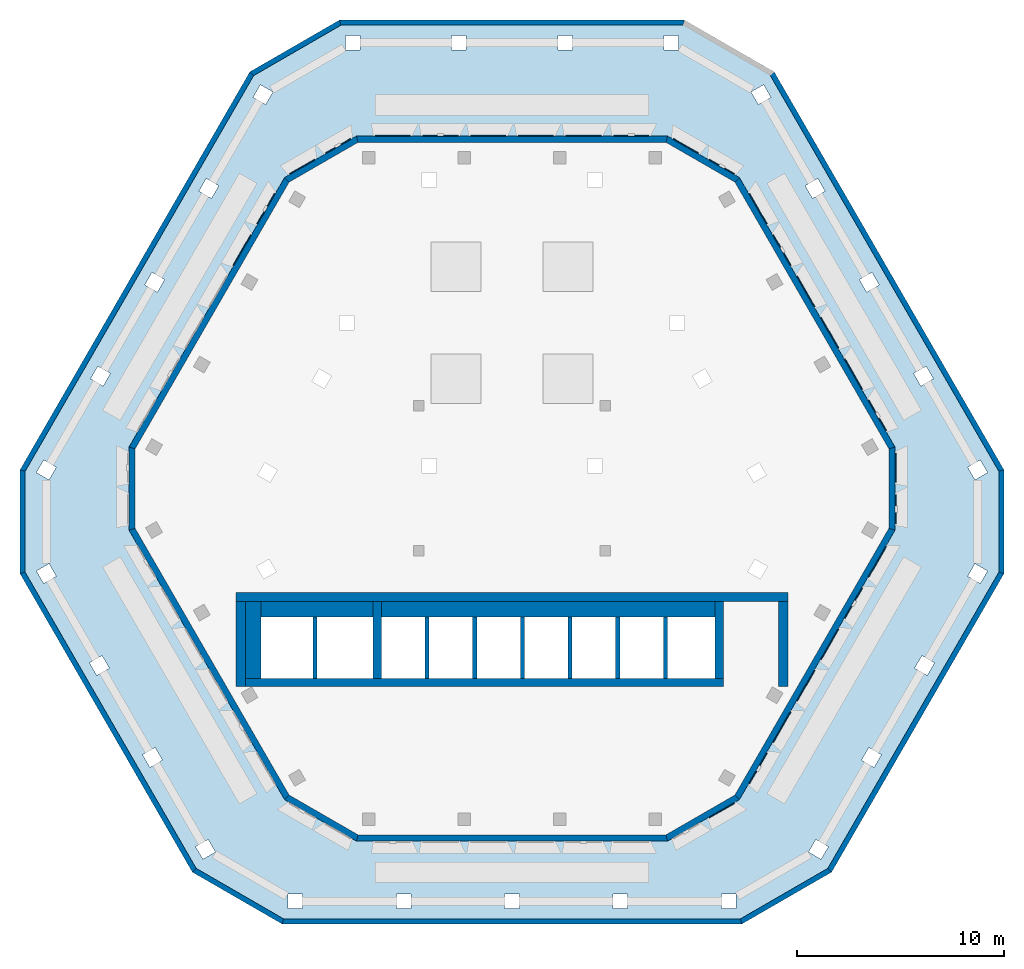
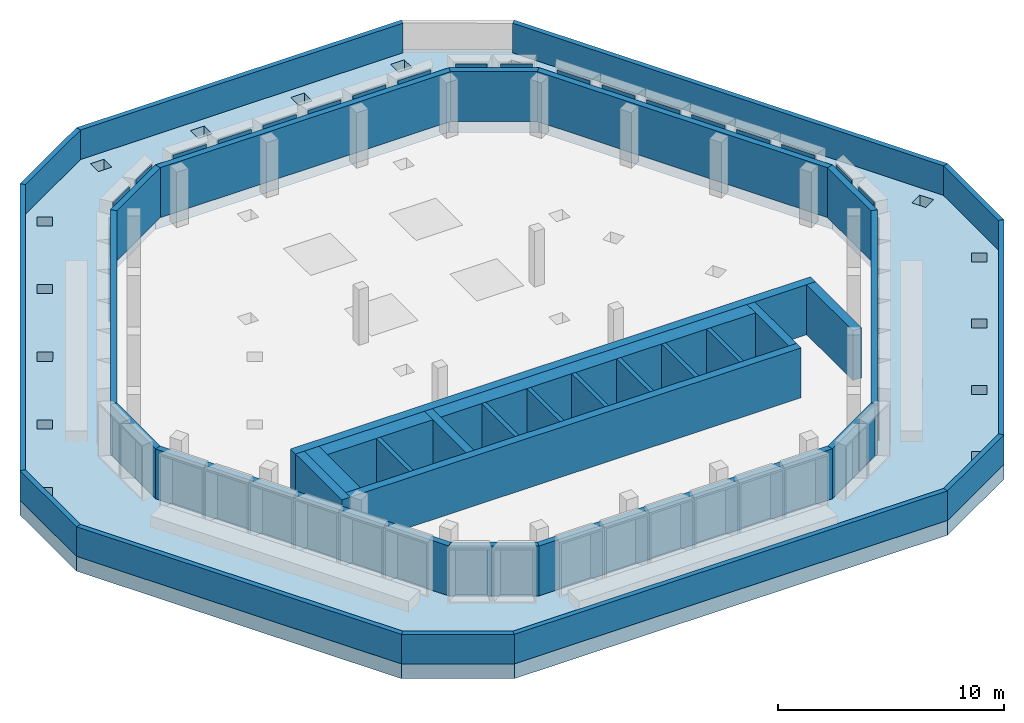
# One storey, part 2 of 5: 39 walls, 27 plates, 1 slab.
"""IFC4 building model written with IfcOpenShell, lengths in metres."""

from ifc_helpers import new_model, si_unit, direction, frame, frame_2d, origin, place, context, subcontext, project, spatial, polyline, rectangle, outline, extrude, source, transform, mapped, material, layer, layer_set, type_object, type_shapes, element, save


model = new_model("IFC4")

# Units and contexts
model_context = context("Model", 3, precision=1e-05, world=origin(), true_north=direction((0.0, 1.0)))
body_context = subcontext(model_context, "Body", "Model", "MODEL_VIEW")
ifc_project = project(units=[si_unit("LENGTHUNIT", "METRE"), si_unit("AREAUNIT", "SQUARE_METRE"), si_unit("VOLUMEUNIT", "CUBIC_METRE"), si_unit("PLANEANGLEUNIT", "RADIAN"), si_unit("MASSUNIT", "GRAM", prefix="KILO")], contexts=[model_context])

# Site, building, storey
site_placement = place(None, origin())
site = spatial("IfcSite", under=ifc_project, at=site_placement, CompositionType="ELEMENT")
building_placement = place(site_placement, origin())
building = spatial("IfcBuilding", under=site, at=building_placement, Name="Beryl Residences", CompositionType="ELEMENT")
storey_placement = place(building_placement, frame((0.0, 0.0, 244.800048828125)))
storey = spatial("IfcBuildingStorey", under=building, at=storey_placement, Name="L76", CompositionType="ELEMENT", Elevation=244.800048828125)

# Plates
ifc_material_1 = material(Name="Aluminium louvres", Category="aluminium")
ifc_layer_1 = layer(ifc_material_1, 0.050048828125)
ifc_layer_set_1 = layer_set([ifc_layer_1], Name="LV140 louvre panel 1400 x 2800 mm")
plate_type_1 = type_object("IfcPlateType", Name="LV140 louvre panel 1400 x 2800 mm", PredefinedType="SHEET", material=ifc_layer_set_1)
shared_shape_1 = source(origin(), body_context, "Body", "SweptSolid", [
    extrude(outline(polyline([(-0.699951171875, 0.0), (0.699951171875, 0.0), (0.699951171875, 0.050048828125), (-0.699951171875, 0.050048828125), (-0.699951171875, 0.0)])), origin(), (0.0, 0.0, 1.0), 2.800048828125),
])
type_shapes(plate_type_1, [shared_shape_1])
for number, where, z_axis, x_axis, name in (
    (1, (-8.3720703125, 16.5, 0.099853515625), (0.0, 0.0, 1.0), (0.866025403784, 0.5, 0.0), "LV140 louvre cell L76 N-NW 1"),
    (2, (-10.10400390625, 15.5, 0.099853515625), (0.0, 0.0, 1.0), (0.866025403784, 0.5, 0.0), "LV140 louvre cell L76 N-NW 2"),
    (3, (10.10400390625, -15.5, 0.099853515625), (0.0, 0.0, 1.0), (-0.866025403784, -0.5, 0.0), "LV140 louvre cell L76 S-SE 2"),
    (4, (18.47509765625, -1.0, 0.099853515625), (0.0, 0.0, 1.0), (0.0, -1.0, 0.0), "LV140 louvre cell L76 SE-NE 1"),
    (5, (18.47509765625, 1.0, 0.099853515625), (0.0, 0.0, 1.0), (0.0, -1.0, 0.0), "LV140 louvre cell L76 SE-NE 2"),
    (6, (10.10400390625, 15.5, 0.099853515625), (0.0, 0.0, 1.0), (0.866025403784, -0.5, 0.0), "LV140 louvre cell L76 NE-N 1"),
    (7, (8.3720703125, 16.5, 0.099853515625), (0.0, 0.0, 1.0), (0.866025403784, -0.5, 0.0), "LV140 louvre cell L76 NE-N 2"),
):
    element("IfcPlate", number, at=place(storey_placement, frame(where, z_axis=z_axis, x_axis=x_axis)), inside=storey, type_object=plate_type_1, Name=name, PredefinedType="SHEET", context=body_context, shape_type="MappedRepresentation", body=[
        mapped(shared_shape_1, transform((0.0, 0.0, 0.0))),
    ])
ifc_material_2 = material(Name="Aluminium louvres", Category="aluminium")
ifc_layer_2 = layer(ifc_material_2, 0.050048828125)
ifc_layer_set_2 = layer_set([ifc_layer_2], Name="LV170 louvre panel 1700 x 2800 mm")
plate_type_2 = type_object("IfcPlateType", Name="LV170 louvre panel 1700 x 2800 mm", PredefinedType="SHEET", material=ifc_layer_set_2)
shared_shape_2 = source(origin(), body_context, "Body", "SweptSolid", [
    extrude(outline(polyline([(-0.85009765625, 0.0), (0.85009765625, 0.0), (0.85009765625, 0.050048828125), (-0.85009765625, 0.050048828125), (-0.85009765625, 0.0)])), origin(), (0.0, 0.0, 1.0), 2.800048828125),
])
type_shapes(plate_type_2, [shared_shape_2])
for number, where, z_axis, x_axis, name in (
    (8, (5.75, 17.0, 0.099853515625), (0.0, 0.0, 1.0), (1.0, 0.0, 0.0), "LV170 louvre cell L76 N 1"),
    (9, (3.449951171875, 17.0, 0.099853515625), (0.0, 0.0, 1.0), (1.0, 0.0, 0.0), "LV170 louvre cell L76 N 2"),
    (10, (1.14990234375, 17.0, 0.099853515625), (0.0, 0.0, 1.0), (1.0, 0.0, 0.0), "LV170 louvre cell L76 N 3"),
    (11, (-1.14990234375, 17.0, 0.099853515625), (0.0, 0.0, 1.0), (1.0, 0.0, 0.0), "LV170 louvre cell L76 N 4"),
    (12, (-3.449951171875, 17.0, 0.099853515625), (0.0, 0.0, 1.0), (1.0, 0.0, 0.0), "LV170 louvre cell L76 N 5"),
    (13, (-5.75, 17.0, 0.099853515625), (0.0, 0.0, 1.0), (1.0, 0.0, 0.0), "LV170 louvre cell L76 N 6"),
    (14, (-11.847900390625, 13.47900390625, 0.099853515625), (0.0, 0.0, 1.0), (0.5, 0.866025403784, 0.0), "LV170 louvre cell L76 NW 1"),
    (15, (-12.998046875, 11.488037109375, 0.099853515625), (0.0, 0.0, 1.0), (0.5, 0.866025403784, 0.0), "LV170 louvre cell L76 NW 2"),
    (16, (11.847900390625, -13.47900390625, 0.099853515625), (0.0, 0.0, 1.0), (-0.5, -0.866025403784, 0.0), "LV170 louvre cell L76 SE 1"),
    (17, (12.998046875, -11.488037109375, 0.099853515625), (0.0, 0.0, 1.0), (-0.5, -0.866025403784, 0.0), "LV170 louvre cell L76 SE 2"),
    (18, (14.14794921875, -9.49609375, 0.099853515625), (0.0, 0.0, 1.0), (-0.5, -0.866025403784, 0.0), "LV170 louvre cell L76 SE 3"),
    (19, (15.298095703125, -7.5048828125, 0.099853515625), (0.0, 0.0, 1.0), (-0.5, -0.866025403784, 0.0), "LV170 louvre cell L76 SE 4"),
    (20, (16.447021484375, -5.512939453125, 0.099853515625), (0.0, 0.0, 1.0), (-0.5, -0.866025403784, 0.0), "LV170 louvre cell L76 SE 5"),
    (21, (17.596923828125, -3.52197265625, 0.099853515625), (0.0, 0.0, 1.0), (-0.5, -0.866025403784, 0.0), "LV170 louvre cell L76 SE 6"),
    (22, (17.597900390625, 3.52099609375, 0.099853515625), (0.0, 0.0, 1.0), (0.5, -0.866025403784, 0.0), "LV170 louvre cell L76 NE 1"),
    (23, (16.447998046875, 5.511962890625, 0.099853515625), (0.0, 0.0, 1.0), (0.5, -0.866025403784, 0.0), "LV170 louvre cell L76 NE 2"),
    (24, (15.298095703125, 7.50390625, 0.099853515625), (0.0, 0.0, 1.0), (0.5, -0.866025403784, 0.0), "LV170 louvre cell L76 NE 3"),
    (25, (14.14794921875, 9.4951171875, 0.099853515625), (0.0, 0.0, 1.0), (0.5, -0.866025403784, 0.0), "LV170 louvre cell L76 NE 4"),
    (26, (12.9990234375, 11.487060546875, 0.099853515625), (0.0, 0.0, 1.0), (0.5, -0.866025403784, 0.0), "LV170 louvre cell L76 NE 5"),
    (27, (11.84912109375, 13.47802734375, 0.099853515625), (0.0, 0.0, 1.0), (0.5, -0.866025403784, 0.0), "LV170 louvre cell L76 NE 6"),
):
    element("IfcPlate", number, at=place(storey_placement, frame(where, z_axis=z_axis, x_axis=x_axis)), inside=storey, type_object=plate_type_2, Name=name, PredefinedType="SHEET", context=body_context, shape_type="MappedRepresentation", body=[
        mapped(shared_shape_2, transform((0.0, 0.0, 0.0))),
    ])

# Slab
ifc_material_3 = material(Name="Concrete C60/75", Category="concrete")
ifc_layer_3 = layer(ifc_material_3, 0.800048828125)
ifc_layer_set_3 = layer_set([ifc_layer_3], Name="SL13 roof strip slab 800 mm C60/75")
slab_type = type_object("IfcSlabType", Name="SL13 roof strip slab 800 mm C60/75", PredefinedType="ROOF", material=ifc_layer_set_3)
slab_placement = place(storey_placement, frame((0.0, 0.0, -0.800048828125)))
element("IfcSlab", 28, at=slab_placement, inside=storey, type_object=slab_type, Name="roof L76 1 1", PredefinedType="ROOF", context=body_context, shape_type="SweptSolid", body=[
    extrude(outline(polyline([(23.72900390625, -4.10009765625), (15.4150390625, -18.5), (11.0849609375, -21.0), (-11.0849609375, -21.0), (-15.4150390625, -18.5), (-23.72900390625, -4.10009765625), (-23.72900390625, 0.89990234375), (-12.64404296875, 20.10009765625), (-8.31396484375, 22.60009765625), (8.31396484375, 22.60009765625), (12.64404296875, 20.10009765625), (23.72900390625, 0.89990234375), (23.72900390625, -4.10009765625)]), holes=[polyline([(22.93603515625, 0.77197265625), (22.5859375, 1.3779296875), (21.97998046875, 1.028076171875), (22.330078125, 0.422119140625), (22.93603515625, 0.77197265625)]), polyline([(22.93603515625, -3.972900390625), (22.330078125, -3.623046875), (21.97998046875, -4.22900390625), (22.5859375, -4.5791015625), (22.93603515625, -3.972900390625)]), polyline([(20.376953125, -8.406005859375), (19.77099609375, -8.055908203125), (19.4208984375, -8.662109375), (20.027099609375, -9.011962890625), (20.376953125, -8.406005859375)]), polyline([(19.367919921875, 5.552978515625), (19.718017578125, 4.947021484375), (20.323974609375, 5.297119140625), (19.97412109375, 5.903076171875), (19.367919921875, 5.552978515625)]), polyline([(7.506103515625, 17.0009765625), (-7.506103515625, 17.0009765625), (-10.970458984375, 15.0009765625), (-18.475830078125, 2.00048828125), (-18.47607421875, -2.0), (-10.970947265625, -15.00048828125), (-7.506591796875, -17.0009765625), (7.506103515625, -17.0009765625), (10.970458984375, -15.0009765625), (18.475830078125, -2.00048828125), (18.47607421875, 2.0), (10.970947265625, 15.00048828125), (7.506103515625, 17.0009765625)]), polyline([(17.467041015625, -13.445068359375), (17.81689453125, -12.839111328125), (17.2109375, -12.489013671875), (16.861083984375, -13.094970703125), (17.467041015625, -13.445068359375)]), polyline([(17.7109375, 9.822021484375), (17.361083984375, 10.427978515625), (16.7548828125, 10.077880859375), (17.10498046875, 9.471923828125), (17.7109375, 9.822021484375)]), polyline([(15.258056640625, -17.27197265625), (14.652099609375, -16.922119140625), (14.302001953125, -17.528076171875), (14.907958984375, -17.8779296875), (15.258056640625, -17.27197265625)]), polyline([(14.14306640625, 14.60302734375), (14.492919921875, 13.9970703125), (15.09912109375, 14.346923828125), (14.7490234375, 14.952880859375), (14.14306640625, 14.60302734375)]), polyline([(12.136962890625, 19.47802734375), (11.531005859375, 19.1279296875), (11.881103515625, 18.52197265625), (12.487060546875, 18.8720703125), (12.136962890625, 19.47802734375)]), polyline([(10.800048828125, -20.25), (10.800048828125, -19.550048828125), (10.10009765625, -19.550048828125), (10.10009765625, -20.25), (10.800048828125, -20.25)]), polyline([(8.029052734375, 21.85009765625), (7.3291015625, 21.85009765625), (7.3291015625, 21.14990234375), (8.029052734375, 21.14990234375), (8.029052734375, 21.85009765625)]), polyline([(5.574951171875, -19.550048828125), (4.875, -19.550048828125), (4.875, -20.25), (5.574951171875, -20.25), (5.574951171875, -19.550048828125)]), polyline([(2.909912109375, 21.85009765625), (2.2099609375, 21.85009765625), (2.2099609375, 21.14990234375), (2.909912109375, 21.14990234375), (2.909912109375, 21.85009765625)]), polyline([(0.35009765625, -20.25), (0.35009765625, -19.550048828125), (-0.35009765625, -19.550048828125), (-0.35009765625, -20.25), (0.35009765625, -20.25)]), polyline([(-2.908935546875, 21.14990234375), (-2.208984375, 21.14990234375), (-2.208984375, 21.85009765625), (-2.908935546875, 21.85009765625), (-2.908935546875, 21.14990234375)]), polyline([(-4.875, -20.25), (-4.875, -19.550048828125), (-5.574951171875, -19.550048828125), (-5.574951171875, -20.25), (-4.875, -20.25)]), polyline([(-7.327880859375, 21.85009765625), (-8.028076171875, 21.85009765625), (-8.028076171875, 21.14990234375), (-7.327880859375, 21.14990234375), (-7.327880859375, 21.85009765625)]), polyline([(-10.10009765625, -19.550048828125), (-10.800048828125, -19.550048828125), (-10.800048828125, -20.25), (-10.10009765625, -20.25), (-10.10009765625, -19.550048828125)]), polyline([(-12.487060546875, 18.8720703125), (-11.881103515625, 18.52197265625), (-11.531005859375, 19.1279296875), (-12.136962890625, 19.47802734375), (-12.487060546875, 18.8720703125)]), polyline([(-15.09912109375, 14.346923828125), (-14.492919921875, 13.9970703125), (-14.14306640625, 14.60302734375), (-14.7490234375, 14.952880859375), (-15.09912109375, 14.346923828125)]), polyline([(-14.908935546875, -17.876953125), (-14.302978515625, -17.527099609375), (-14.653076171875, -16.9208984375), (-15.259033203125, -17.27099609375), (-14.908935546875, -17.876953125)]), polyline([(-17.7109375, 9.822021484375), (-17.10498046875, 9.471923828125), (-16.7548828125, 10.077880859375), (-17.361083984375, 10.427978515625), (-17.7109375, 9.822021484375)]), polyline([(-17.468017578125, -13.444091796875), (-16.862060546875, -13.093994140625), (-17.2119140625, -12.488037109375), (-17.818115234375, -12.837890625), (-17.468017578125, -13.444091796875)]), polyline([(-19.97412109375, 5.903076171875), (-20.323974609375, 5.297119140625), (-19.718017578125, 4.947021484375), (-19.367919921875, 5.552978515625), (-19.97412109375, 5.903076171875)]), polyline([(-19.4208984375, -8.660888671875), (-19.77099609375, -8.054931640625), (-20.376953125, -8.405029296875), (-20.027099609375, -9.010986328125), (-19.4208984375, -8.660888671875)]), polyline([(-22.330078125, 0.422119140625), (-21.97998046875, 1.028076171875), (-22.5859375, 1.3779296875), (-22.93603515625, 0.77197265625), (-22.330078125, 0.422119140625)]), polyline([(-21.98095703125, -4.22802734375), (-22.3310546875, -3.6220703125), (-22.93701171875, -3.971923828125), (-22.5869140625, -4.577880859375), (-21.98095703125, -4.22802734375)])]), origin(), (0.0, 0.0, 1.0), 0.800048828125),
])

# Walls
ifc_material_4 = material(Name="Composite metal panel with mineral wool insulation")
ifc_layer_4 = layer(ifc_material_4, 0.300048828125)
ifc_layer_set_4 = layer_set([ifc_layer_4], Name="ES1 pale metal composite panel wall 300 mm")
wall_type_1 = type_object("IfcWallType", Name="ES1 pale metal composite panel wall 300 mm", PredefinedType="SOLIDWALL", material=ifc_layer_set_4)
wall_1_placement = place(storey_placement, frame((7.506103515625, 16.85009765625, 0.0), z_axis=(0.0, 0.0, 1.0), x_axis=(-1.0, 0.0, 0.0)))
element("IfcWall", 29, at=wall_1_placement, inside=storey, type_object=wall_type_1, Name="ES1 external wall L76 N", PredefinedType="SOLIDWALL", context=body_context, shape_type="SweptSolid", body=[
    extrude(outline(polyline([(0.0, -0.14990234375), (15.01220703125, -0.14990234375), (14.931884765625, 0.14990234375), (0.080322265625, 0.14990234375), (0.0, -0.14990234375)])), origin(), (0.0, 0.0, 1.0), 2.699951171875),
])
wall_2_placement = place(storey_placement, frame((-7.430908203125, 16.8701171875, 0.0), z_axis=(0.0, 0.0, 1.0), x_axis=(-0.866026010844, -0.49999894854, 0.0)))
element("IfcWall", 30, at=wall_2_placement, inside=storey, type_object=wall_type_1, Name="ES1 external wall L76 N-NW", PredefinedType="SOLIDWALL", context=body_context, shape_type="SweptSolid", body=[
    extrude(outline(polyline([(0.0, -0.14990234375), (4.0, -0.14990234375), (3.919677734375, 0.14990234375), (0.080322265625, 0.14990234375), (0.0, -0.14990234375)])), origin(), (0.0, 0.0, 1.0), 2.699951171875),
])
wall_3_placement = place(storey_placement, frame((-10.840087890625, 14.925048828125, 0.0), z_axis=(0.0, 0.0, 1.0), x_axis=(-0.499966489342, -0.866044750308, 0.0)))
element("IfcWall", 31, at=wall_3_placement, inside=storey, type_object=wall_type_1, Name="ES1 external wall L76 NW", PredefinedType="SOLIDWALL", context=body_context, shape_type="SweptSolid", body=[
    extrude(outline(polyline([(0.0, -0.14990234375), (15.0107421875, -0.14990234375), (14.930419921875, 0.14990234375), (0.080322265625, 0.14990234375), (0.0, -0.14990234375)])), origin(), (0.0, 0.0, 1.0), 2.699951171875),
])
wall_4_placement = place(storey_placement, frame((-18.324951171875, 2.0, 0.0), z_axis=(0.0, 0.0, 1.0), x_axis=(0.0, -1.0, 0.0)))
element("IfcWall", 32, at=wall_4_placement, inside=storey, type_object=wall_type_1, Name="ES1 external wall L76 NW-SW", PredefinedType="SOLIDWALL", context=body_context, shape_type="SweptSolid", body=[
    extrude(outline(polyline([(0.0, -0.14990234375), (4.0, -0.14990234375), (3.919677734375, 0.14990234375), (0.080322265625, 0.14990234375), (0.0, -0.14990234375)])), origin(), (0.0, 0.0, 1.0), 2.699951171875),
])
wall_5_placement = place(storey_placement, frame((-18.344970703125, -1.925048828125, 0.0), z_axis=(0.0, 0.0, 1.0), x_axis=(0.499966489342, -0.866044750308, 0.0)))
element("IfcWall", 33, at=wall_5_placement, inside=storey, type_object=wall_type_1, Name="ES1 external wall L76 SW", PredefinedType="SOLIDWALL", context=body_context, shape_type="SweptSolid", body=[
    extrude(outline(polyline([(0.0, -0.14990234375), (15.0107421875, -0.14990234375), (14.930419921875, 0.14990234375), (0.080322265625, 0.14990234375), (0.0, -0.14990234375)])), origin(), (0.0, 0.0, 1.0), 2.699951171875),
])
wall_6_placement = place(storey_placement, frame((-10.89501953125, -14.8701171875, 0.0), z_axis=(0.0, 0.0, 1.0), x_axis=(0.866026010844, -0.49999894854, 0.0)))
element("IfcWall", 34, at=wall_6_placement, inside=storey, type_object=wall_type_1, Name="ES1 external wall L76 SW-S", PredefinedType="SOLIDWALL", context=body_context, shape_type="SweptSolid", body=[
    extrude(outline(polyline([(0.0, -0.14990234375), (4.0, -0.14990234375), (3.919677734375, 0.14990234375), (0.080322265625, 0.14990234375), (0.0, -0.14990234375)])), origin(), (0.0, 0.0, 1.0), 2.699951171875),
])
wall_7_placement = place(storey_placement, frame((-7.506103515625, -16.85009765625, 0.0), z_axis=(0.0, 0.0, 1.0), x_axis=(1.0, 0.0, 0.0)))
element("IfcWall", 35, at=wall_7_placement, inside=storey, type_object=wall_type_1, Name="ES1 external wall L76 S", PredefinedType="SOLIDWALL", context=body_context, shape_type="SweptSolid", body=[
    extrude(outline(polyline([(0.0, -0.14990234375), (15.01220703125, -0.14990234375), (14.931884765625, 0.14990234375), (0.080322265625, 0.14990234375), (0.0, -0.14990234375)])), origin(), (0.0, 0.0, 1.0), 2.699951171875),
])
wall_8_placement = place(storey_placement, frame((7.430908203125, -16.8701171875, 0.0), z_axis=(0.0, 0.0, 1.0), x_axis=(0.866026010844, 0.49999894854, 0.0)))
element("IfcWall", 36, at=wall_8_placement, inside=storey, type_object=wall_type_1, Name="ES1 external wall L76 S-SE", PredefinedType="SOLIDWALL", context=body_context, shape_type="SweptSolid", body=[
    extrude(outline(polyline([(0.0, -0.14990234375), (4.0, -0.14990234375), (3.919677734375, 0.14990234375), (0.080322265625, 0.14990234375), (0.0, -0.14990234375)])), origin(), (0.0, 0.0, 1.0), 2.699951171875),
])
wall_9_placement = place(storey_placement, frame((10.840087890625, -14.925048828125, 0.0), z_axis=(0.0, 0.0, 1.0), x_axis=(0.499966489342, 0.866044750308, 0.0)))
element("IfcWall", 37, at=wall_9_placement, inside=storey, type_object=wall_type_1, Name="ES1 external wall L76 SE", PredefinedType="SOLIDWALL", context=body_context, shape_type="SweptSolid", body=[
    extrude(outline(polyline([(0.0, -0.14990234375), (15.0107421875, -0.14990234375), (14.930419921875, 0.14990234375), (0.080322265625, 0.14990234375), (0.0, -0.14990234375)])), origin(), (0.0, 0.0, 1.0), 2.699951171875),
])
wall_10_placement = place(storey_placement, frame((18.324951171875, -2.0, 0.0), z_axis=(0.0, 0.0, 1.0), x_axis=(0.0, 1.0, 0.0)))
element("IfcWall", 38, at=wall_10_placement, inside=storey, type_object=wall_type_1, Name="ES1 external wall L76 SE-NE", PredefinedType="SOLIDWALL", context=body_context, shape_type="SweptSolid", body=[
    extrude(outline(polyline([(0.0, -0.14990234375), (4.0, -0.14990234375), (3.919677734375, 0.14990234375), (0.080322265625, 0.14990234375), (0.0, -0.14990234375)])), origin(), (0.0, 0.0, 1.0), 2.699951171875),
])
wall_11_placement = place(storey_placement, frame((18.344970703125, 1.925048828125, 0.0), z_axis=(0.0, 0.0, 1.0), x_axis=(-0.499966489342, 0.866044750308, 0.0)))
element("IfcWall", 39, at=wall_11_placement, inside=storey, type_object=wall_type_1, Name="ES1 external wall L76 NE", PredefinedType="SOLIDWALL", context=body_context, shape_type="SweptSolid", body=[
    extrude(outline(polyline([(0.0, -0.14990234375), (15.0107421875, -0.14990234375), (14.930419921875, 0.14990234375), (0.080322265625, 0.14990234375), (0.0, -0.14990234375)])), origin(), (0.0, 0.0, 1.0), 2.699951171875),
])
wall_12_placement = place(storey_placement, frame((10.89501953125, 14.8701171875, 0.0), z_axis=(0.0, 0.0, 1.0), x_axis=(-0.866026010844, 0.49999894854, 0.0)))
element("IfcWall", 40, at=wall_12_placement, inside=storey, type_object=wall_type_1, Name="ES1 external wall L76 NE-N", PredefinedType="SOLIDWALL", context=body_context, shape_type="SweptSolid", body=[
    extrude(outline(polyline([(0.0, -0.14990234375), (4.0, -0.14990234375), (3.919677734375, 0.14990234375), (0.080322265625, 0.14990234375), (0.0, -0.14990234375)])), origin(), (0.0, 0.0, 1.0), 2.699951171875),
])
ifc_material_5 = material(Name="Precast concrete C40/50", Category="concrete")
ifc_layer_5 = layer(ifc_material_5, 0.25)
ifc_layer_set_5 = layer_set([ifc_layer_5], Name="PA1 roof parapet 250 mm")
wall_type_2 = type_object("IfcWallType", Name="PA1 roof parapet 250 mm", PredefinedType="PARAPET", material=ifc_layer_set_5)
wall_13_placement = place(storey_placement, frame((12.534912109375, 20.037109375, 0.0), z_axis=(0.0, 0.0, 1.0), x_axis=(0.500050997785, -0.865995958198, 0.0)))
element("IfcWall", 41, at=wall_13_placement, inside=storey, type_object=wall_type_2, Name="PA1 parapet L76 strip 2", PredefinedType="PARAPET", context=body_context, shape_type="SweptSolid", body=[
    extrude(outline(polyline([(0.06689453125, -0.125), (22.103271484375, -0.125), (22.170166015625, 0.125), (0.0, 0.125), (0.06689453125, -0.125)])), origin(), (0.0, 0.0, 1.0), 1.599853515625),
])
wall_14_placement = place(storey_placement, frame((23.60400390625, 0.89990234375, 0.0), z_axis=(0.0, 0.0, 1.0), x_axis=(0.0, -1.0, 0.0)))
element("IfcWall", 42, at=wall_14_placement, inside=storey, type_object=wall_type_2, Name="PA1 parapet L76 strip 3", PredefinedType="PARAPET", context=body_context, shape_type="SweptSolid", body=[
    extrude(outline(polyline([(0.06689453125, -0.125), (4.93310546875, -0.125), (5.0, 0.125), (0.0, 0.125), (0.06689453125, -0.125)])), origin(), (0.0, 0.0, 1.0), 1.599853515625),
])
wall_15_placement = place(storey_placement, frame((23.62109375, -4.0380859375, 0.0), z_axis=(0.0, 0.0, 1.0), x_axis=(-0.500088489924, -0.865974308075, 0.0)))
element("IfcWall", 43, at=wall_15_placement, inside=storey, type_object=wall_type_2, Name="PA1 parapet L76 strip 4", PredefinedType="PARAPET", context=body_context, shape_type="SweptSolid", body=[
    extrude(outline(polyline([(0.06689453125, -0.125), (16.560546875, -0.125), (16.62744140625, 0.125), (0.0, 0.125), (0.06689453125, -0.125)])), origin(), (0.0, 0.0, 1.0), 1.599853515625),
])
wall_16_placement = place(storey_placement, frame((15.35205078125, -18.39111328125, 0.0), z_axis=(0.0, 0.0, 1.0), x_axis=(-0.865889515344, -0.500235291855, 0.0)))
element("IfcWall", 44, at=wall_16_placement, inside=storey, type_object=wall_type_2, Name="PA1 parapet L76 strip 5", PredefinedType="PARAPET", context=body_context, shape_type="SweptSolid", body=[
    extrude(outline(polyline([(0.06689453125, -0.125), (4.9326171875, -0.125), (4.99951171875, 0.125), (0.0, 0.125), (0.06689453125, -0.125)])), origin(), (0.0, 0.0, 1.0), 1.599853515625),
])
wall_17_placement = place(storey_placement, frame((11.0859375, -20.875, 0.0), z_axis=(0.0, 0.0, 1.0), x_axis=(-1.0, 0.0, 0.0)))
element("IfcWall", 45, at=wall_17_placement, inside=storey, type_object=wall_type_2, Name="PA1 parapet L76 strip 6", PredefinedType="PARAPET", context=body_context, shape_type="SweptSolid", body=[
    extrude(outline(polyline([(0.06689453125, -0.125), (22.10498046875, -0.125), (22.171875, 0.125), (0.0, 0.125), (0.06689453125, -0.125)])), origin(), (0.0, 0.0, 1.0), 1.599853515625),
])
wall_18_placement = place(storey_placement, frame((-11.02294921875, -20.89208984375, 0.0), z_axis=(0.0, 0.0, 1.0), x_axis=(-0.865889515344, 0.500235291855, 0.0)))
element("IfcWall", 46, at=wall_18_placement, inside=storey, type_object=wall_type_2, Name="PA1 parapet L76 strip 7", PredefinedType="PARAPET", context=body_context, shape_type="SweptSolid", body=[
    extrude(outline(polyline([(0.06689453125, -0.125), (4.9326171875, -0.125), (4.99951171875, 0.125), (0.0, 0.125), (0.06689453125, -0.125)])), origin(), (0.0, 0.0, 1.0), 1.599853515625),
])
wall_19_placement = place(storey_placement, frame((-15.305908203125, -18.43701171875, 0.0), z_axis=(0.0, 0.0, 1.0), x_axis=(-0.500088489924, 0.865974308075, 0.0)))
element("IfcWall", 47, at=wall_19_placement, inside=storey, type_object=wall_type_2, Name="PA1 parapet L76 strip 8", PredefinedType="PARAPET", context=body_context, shape_type="SweptSolid", body=[
    extrude(outline(polyline([(0.06689453125, -0.125), (16.560546875, -0.125), (16.62744140625, 0.125), (0.0, 0.125), (0.06689453125, -0.125)])), origin(), (0.0, 0.0, 1.0), 1.599853515625),
])
wall_20_placement = place(storey_placement, frame((-23.60400390625, -4.10009765625, 0.0), z_axis=(0.0, 0.0, 1.0), x_axis=(0.0, 1.0, 0.0)))
element("IfcWall", 48, at=wall_20_placement, inside=storey, type_object=wall_type_2, Name="PA1 parapet L76 strip 9", PredefinedType="PARAPET", context=body_context, shape_type="SweptSolid", body=[
    extrude(outline(polyline([(0.06689453125, -0.125), (4.93310546875, -0.125), (5.0, 0.125), (0.0, 0.125), (0.06689453125, -0.125)])), origin(), (0.0, 0.0, 1.0), 1.599853515625),
])
wall_21_placement = place(storey_placement, frame((-23.62109375, 0.837890625, 0.0), z_axis=(0.0, 0.0, 1.0), x_axis=(0.500050997785, 0.865995958198, 0.0)))
element("IfcWall", 49, at=wall_21_placement, inside=storey, type_object=wall_type_2, Name="PA1 parapet L76 strip 10", PredefinedType="PARAPET", context=body_context, shape_type="SweptSolid", body=[
    extrude(outline(polyline([(0.06689453125, -0.125), (22.103271484375, -0.125), (22.170166015625, 0.125), (0.0, 0.125), (0.06689453125, -0.125)])), origin(), (0.0, 0.0, 1.0), 1.599853515625),
])
wall_22_placement = place(storey_placement, frame((-12.5810546875, 19.990966796875, 0.0), z_axis=(0.0, 0.0, 1.0), x_axis=(0.865889515344, 0.500235291855, 0.0)))
element("IfcWall", 50, at=wall_22_placement, inside=storey, type_object=wall_type_2, Name="PA1 parapet L76 strip 11", PredefinedType="PARAPET", context=body_context, shape_type="SweptSolid", body=[
    extrude(outline(polyline([(0.06689453125, -0.125), (4.9326171875, -0.125), (4.99951171875, 0.125), (0.0, 0.125), (0.06689453125, -0.125)])), origin(), (0.0, 0.0, 1.0), 1.599853515625),
])
wall_23_placement = place(storey_placement, frame((-8.31494140625, 22.47509765625, 0.0), z_axis=(0.0, 0.0, 1.0), x_axis=(1.0, 0.0, 0.0)))
element("IfcWall", 51, at=wall_23_placement, inside=storey, type_object=wall_type_2, Name="PA1 parapet L76 strip 12", PredefinedType="PARAPET", context=body_context, shape_type="SweptSolid", body=[
    extrude(outline(polyline([(0.06689453125, -0.125), (16.56298828125, -0.125), (16.6298828125, 0.125), (0.0, 0.125), (0.06689453125, -0.125)])), origin(), (0.0, 0.0, 1.0), 1.599853515625),
])
ifc_material_6 = material(Name="Concrete C40/50", Category="concrete")
ifc_layer_6 = layer(ifc_material_6, 0.199951171875)
ifc_layer_set_6 = layer_set([ifc_layer_6], Name="PT6 lift shaft wall 200 mm reinforced concrete C40/50")
wall_type_3 = type_object("IfcWallType", Name="PT6 lift shaft wall 200 mm reinforced concrete C40/50", PredefinedType="SOLIDWALL", material=ifc_layer_set_6)
for number, where, z_axis, x_axis, name in (
    (52, (-9.5, -9.14990234375, 0.0), (0.0, 0.0, 1.0), (0.0, 1.0, 0.0), "Lift shaft wall 03"),
    (53, (-4.10009765625, -9.14990234375, 0.0), (0.0, 0.0, 1.0), (0.0, 1.0, 0.0), "Lift shaft wall 05"),
    (54, (-1.800048828125, -9.14990234375, 0.0), (0.0, 0.0, 1.0), (0.0, 1.0, 0.0), "Lift shaft wall 06"),
    (55, (0.5, -9.14990234375, 0.0), (0.0, 0.0, 1.0), (0.0, 1.0, 0.0), "Lift shaft wall 07"),
    (56, (2.800048828125, -9.14990234375, 0.0), (0.0, 0.0, 1.0), (0.0, 1.0, 0.0), "Lift shaft wall 08"),
    (57, (5.10009765625, -9.14990234375, 0.0), (0.0, 0.0, 1.0), (0.0, 1.0, 0.0), "Lift shaft wall 09"),
    (58, (7.39990234375, -9.14990234375, 0.0), (0.0, 0.0, 1.0), (0.0, 1.0, 0.0), "Lift shaft wall 10"),
):
    element("IfcWall", number, at=place(storey_placement, frame(where, z_axis=z_axis, x_axis=x_axis)), inside=storey, type_object=wall_type_3, Name=name, PredefinedType="SOLIDWALL", context=body_context, shape_type="SweptSolid", body=[
        extrude(rectangle(XDim=2.949951171875, YDim=0.199951171875, at=frame_2d((1.47509765625, 0.0))), origin(), (0.0, 0.0, 1.0), 2.699951171875),
    ])
ifc_material_7 = material(Name="Concrete C40/50", Category="concrete")
ifc_layer_7 = layer(ifc_material_7, 0.75)
ifc_layer_set_7 = layer_set([ifc_layer_7], Name="PT6-750 lift shaft wall 750 mm")
wall_type_4 = type_object("IfcWallType", Name="PT6-750 lift shaft wall 750 mm", PredefinedType="SOLIDWALL", material=ifc_layer_set_7)
wall_24_placement = place(storey_placement, frame((-12.47509765625, -9.14990234375, 0.0), z_axis=(0.0, 0.0, 1.0), x_axis=(0.0, 1.0, 0.0)))
element("IfcWall", 59, at=wall_24_placement, inside=storey, type_object=wall_type_4, Name="Lift shaft wall 01", PredefinedType="SOLIDWALL", context=body_context, shape_type="SweptSolid", body=[
    extrude(rectangle(XDim=3.699951171875, YDim=0.75, at=frame_2d((1.85009765625, 0.0))), origin(), (0.0, 0.0, 1.0), 2.699951171875),
])
wall_25_placement = place(storey_placement, frame((-12.10009765625, -5.824951171875, 0.0), z_axis=(0.0, 0.0, 1.0), x_axis=(1.0, 0.0, 0.0)))
element("IfcWall", 60, at=wall_25_placement, inside=storey, type_object=wall_type_4, Name="Lift shaft wall 02", PredefinedType="SOLIDWALL", context=body_context, shape_type="SweptSolid", body=[
    extrude(rectangle(XDim=5.400146484375, YDim=0.75, at=frame_2d((2.7001953125, 0.0))), origin(), (0.0, 0.0, 1.0), 2.699951171875),
])
wall_26_placement = place(storey_placement, frame((-6.300048828125, -5.824951171875, 0.0), z_axis=(0.0, 0.0, 1.0), x_axis=(1.0, 0.0, 0.0)))
element("IfcWall", 61, at=wall_26_placement, inside=storey, type_object=wall_type_4, Name="Lift shaft wall 04", PredefinedType="SOLIDWALL", context=body_context, shape_type="SweptSolid", body=[
    extrude(rectangle(XDim=16.10009765625, YDim=0.75, at=frame_2d((8.050048828125, 0.0))), origin(), (0.0, 0.0, 1.0), 2.699951171875),
])
ifc_material_8 = material(Name="Concrete C50/60", Category="concrete")
ifc_layer_8 = layer(ifc_material_8, 0.39990234375)
ifc_layer_set_8 = layer_set([ifc_layer_8], Name="SW10 core internal wall 400 mm C50/60")
wall_type_5 = type_object("IfcWallType", Name="SW10 core internal wall 400 mm C50/60", PredefinedType="SHEAR", material=ifc_layer_set_8)
wall_27_placement = place(storey_placement, frame((-12.85009765625, -9.35009765625, 0.0), z_axis=(0.0, 0.0, 1.0), x_axis=(1.0, 0.0, 0.0)))
element("IfcWall", 62, at=wall_27_placement, inside=storey, type_object=wall_type_5, Name="Core wall SP2 L76", PredefinedType="SHEAR", context=body_context, shape_type="SweptSolid", body=[
    extrude(rectangle(XDim=23.050048828125, YDim=0.39990234375, at=frame_2d((11.52490234375, 0.0))), origin(), (0.0, 0.0, 1.0), 2.699951171875),
])
for number, where, z_axis, x_axis, name in (
    (63, (-6.5, -9.14990234375, 0.0), (0.0, 0.0, 1.0), (0.0, 1.0, 0.0), "Core wall XN1 L76"),
    (64, (10.0, -9.14990234375, 0.0), (0.0, 0.0, 1.0), (0.0, 1.0, 0.0), "Core wall XN2 L76"),
):
    element("IfcWall", number, at=place(storey_placement, frame(where, z_axis=z_axis, x_axis=x_axis)), inside=storey, type_object=wall_type_5, Name=name, PredefinedType="SHEAR", context=body_context, shape_type="SweptSolid", body=[
        extrude(rectangle(XDim=3.699951171875, YDim=0.39990234375, at=frame_2d((1.85009765625, 0.0))), origin(), (0.0, 0.0, 1.0), 2.699951171875),
    ])
ifc_material_9 = material(Name="Concrete C50/60", Category="concrete")
ifc_layer_9 = layer(ifc_material_9, 0.449951171875)
ifc_layer_set_9 = layer_set([ifc_layer_9], Name="SW5 core outer wall 450 mm C50/60")
wall_type_6 = type_object("IfcWallType", Name="SW5 core outer wall 450 mm C50/60", PredefinedType="SHEAR", material=ifc_layer_set_9)
wall_28_placement = place(storey_placement, frame((-13.300048828125, -5.22509765625, 0.0), z_axis=(0.0, 0.0, 1.0), x_axis=(1.0, 0.0, 0.0)))
element("IfcWall", 65, at=wall_28_placement, inside=storey, type_object=wall_type_6, Name="Core wall N L76", PredefinedType="SHEAR", context=body_context, shape_type="SweptSolid", body=[
    extrude(rectangle(XDim=26.60009765625, YDim=0.449951171875, at=frame_2d((13.300048828125, 0.0))), origin(), (0.0, 0.0, 1.0), 2.699951171875),
])
for number, where, z_axis, x_axis, name in (
    (66, (-13.074951171875, -9.553955078125, 0.0), (0.0, 0.0, 1.0), (0.0, 1.0, 0.0), "Core wall W L76"),
    (67, (13.074951171875, -9.553955078125, 0.0), (0.0, 0.0, 1.0), (0.0, 1.0, 0.0), "Core wall E L76"),
):
    element("IfcWall", number, at=place(storey_placement, frame(where, z_axis=z_axis, x_axis=x_axis)), inside=storey, type_object=wall_type_6, Name=name, PredefinedType="SHEAR", context=body_context, shape_type="SweptSolid", body=[
        extrude(rectangle(XDim=4.10400390625, YDim=0.449951171875, at=frame_2d((2.052001953125, 0.0))), origin(), (0.0, 0.0, 1.0), 2.699951171875),
    ])

save(model, "model.ifc")
